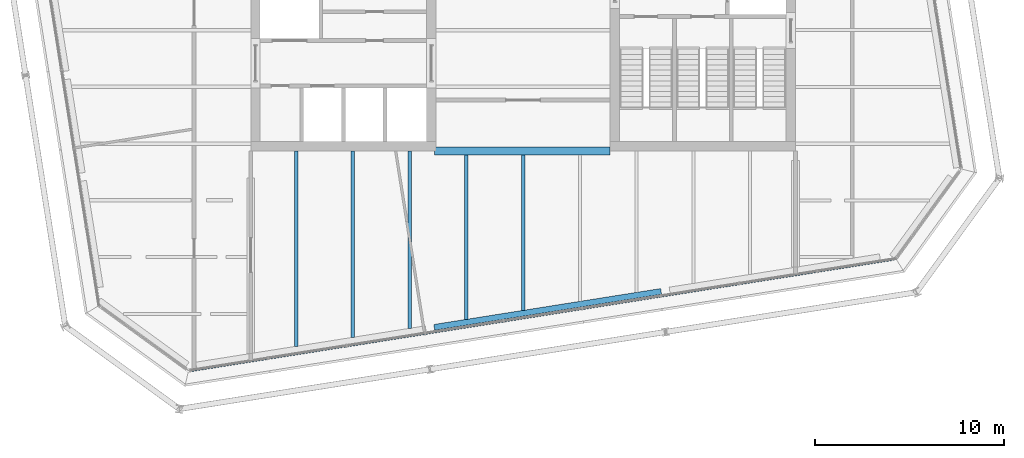
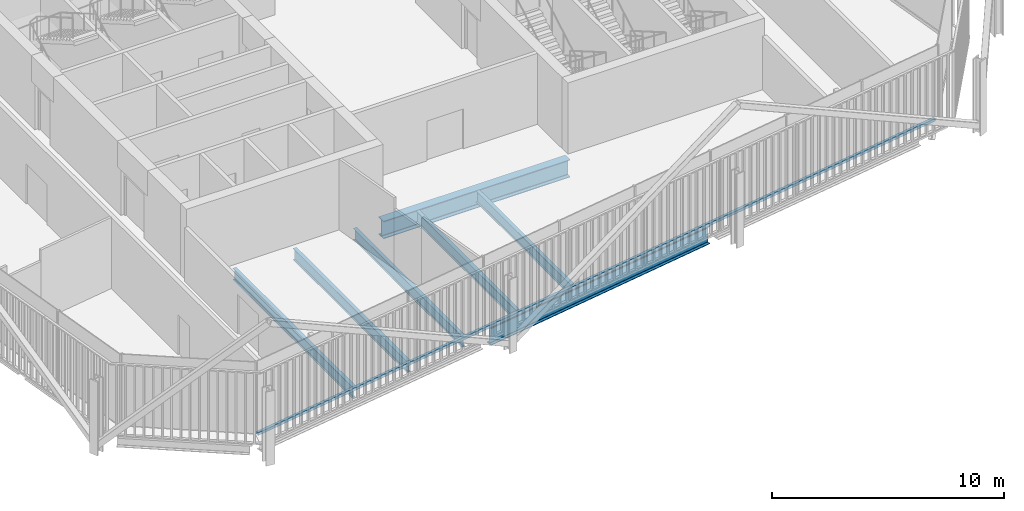
# One storey, part 4 of 20: 7 beams, 1 member, 1 element without a shape of its own.
"""IFC4 building model written with IfcOpenShell, lengths in metres."""

from ifc_helpers import new_model, si_unit, direction, frame, origin, origin_2d, place, context, subcontext, project, spatial, rectangle, i_section, extrude, material, layer, layer_set, material_profile, profile_set, type_object, element, aggregate, save


model = new_model("IFC4")

# Units and contexts
model_context = context("Model", 3, precision=1e-05, world=origin(), true_north=direction((0.0, 1.0)))
body_context = subcontext(model_context, "Body", "Model", "MODEL_VIEW")
ifc_project = project(units=[si_unit("LENGTHUNIT", "METRE"), si_unit("AREAUNIT", "SQUARE_METRE"), si_unit("VOLUMEUNIT", "CUBIC_METRE"), si_unit("PLANEANGLEUNIT", "RADIAN"), si_unit("MASSUNIT", "GRAM", prefix="KILO")], contexts=[model_context])

# Site, building, storey
site_placement = place(None, origin())
site = spatial("IfcSite", under=ifc_project, at=site_placement, CompositionType="ELEMENT")
building_placement = place(site_placement, origin())
building = spatial("IfcBuilding", under=site, at=building_placement, Name="Millrace Tower", CompositionType="ELEMENT")
storey_placement = place(building_placement, frame((0.0, 0.0, 204.699951171875)))
storey = spatial("IfcBuildingStorey", under=building, at=storey_placement, Name="L46", CompositionType="ELEMENT", Elevation=204.699951171875)

# Curtain wall, member
ifc_material_1 = material(Name="Aluminium and glass", Category="aluminium")
ifc_layer = layer(ifc_material_1, 0.14990234375)
ifc_layer_set = layer_set([ifc_layer], Name="Aluminium and glass")
curtain_wall_type = type_object("IfcCurtainWallType", Name="CW-1 office vision curtain wall", PredefinedType="NOTDEFINED", material=ifc_layer_set)
curtain_wall_placement = place(storey_placement, origin())
curtain_wall = element("IfcCurtainWall", 1, at=curtain_wall_placement, inside=storey, type_object=curtain_wall_type, Name="Curtain wall D-F02 L46", PredefinedType="NOTDEFINED")
ifc_material_2 = material(Name="Aluminium", Category="aluminium")
ifc_material_profile_1 = material_profile(ifc_material_2, rectangle(XDim=0.14990234375, YDim=0.139892578125, at=origin_2d()))
ifc_profile_set_1 = profile_set([ifc_material_profile_1], Name="Aluminium")
member_type = type_object("IfcMemberType", Name="CW-1 office vision curtain wall transom", PredefinedType="USERDEFINED", material=ifc_profile_set_1)
member_placement = place(storey_placement, frame((-17.558837890625, -20.98193359375, 0.070068359375), z_axis=(0.987687829698, 0.156437690685, 0.0), x_axis=(-0.156437690685, 0.987687829698, 0.0)))
member = element("IfcMember", 2, at=member_placement, type_object=member_type, Name="CW1 transom D-F02.1", ObjectType="TRANSOM", PredefinedType="USERDEFINED", context=body_context, shape_type="SweptSolid", body=[
    extrude(rectangle(XDim=0.14990234375, YDim=0.139892578125, at=origin_2d()), origin(), (0.0, 0.0, 1.0), 37.60009765625),
])
aggregate(curtain_wall, [member])

# Beams
ifc_material_3 = material(Name="Steel ASTM A992 Grade 50", Category="steel")
ifc_material_profile_2 = material_profile(ifc_material_3, i_section(OverallWidth=0.177978515625, OverallDepth=0.599365234375, WebThickness=0.010009765625, FlangeThickness=0.012939453125, FilletRadius=0.012939453125, at=origin_2d()))
ifc_profile_set_2 = profile_set([ifc_material_profile_2], Name="Steel ASTM A992 Grade 50")
beam_type_1 = type_object("IfcBeamType", Name="Floor beam W24x55", PredefinedType="JOIST", material=ifc_profile_set_2)
beam_1_placement = place(storey_placement, frame((-9.0, -19.2392578125, -0.459716796875), z_axis=(0.0, 1.0, 0.0), x_axis=(-1.0, 0.0, 0.0)))
element("IfcBeam", 3, at=beam_1_placement, inside=storey, type_object=beam_type_1, Name="BM-D-L46-S1-S039", PredefinedType="JOIST", context=body_context, shape_type="SweptSolid", body=[
    extrude(i_section(OverallWidth=0.177978515625, OverallDepth=0.599365234375, WebThickness=0.010009765625, FlangeThickness=0.012939453125, FilletRadius=0.012939453125, at=origin_2d()), origin(), (0.0, 0.0, 1.0), 9.83935546875),
])
beam_2_placement = place(storey_placement, frame((-6.0, -18.763916015625, -0.459716796875), z_axis=(0.0, 1.0, 0.0), x_axis=(-1.0, 0.0, 0.0)))
element("IfcBeam", 4, at=beam_2_placement, inside=storey, type_object=beam_type_1, Name="BM-D-L46-S1-S041", PredefinedType="JOIST", context=body_context, shape_type="SweptSolid", body=[
    extrude(i_section(OverallWidth=0.177978515625, OverallDepth=0.599365234375, WebThickness=0.010009765625, FlangeThickness=0.012939453125, FilletRadius=0.012939453125, at=origin_2d()), origin(), (0.0, 0.0, 1.0), 9.364013671875),
])
beam_3_placement = place(storey_placement, frame((-3.0, -18.288818359375, -0.459716796875), z_axis=(0.0, 1.0, 0.0), x_axis=(-1.0, 0.0, 0.0)))
element("IfcBeam", 5, at=beam_3_placement, inside=storey, type_object=beam_type_1, Name="BM-D-L46-S1-S043", PredefinedType="JOIST", context=body_context, shape_type="SweptSolid", body=[
    extrude(i_section(OverallWidth=0.177978515625, OverallDepth=0.599365234375, WebThickness=0.010009765625, FlangeThickness=0.012939453125, FilletRadius=0.012939453125, at=origin_2d()), origin(), (0.0, 0.0, 1.0), 8.67919921875),
])
beam_4_placement = place(storey_placement, frame((0.0, -17.813720703125, -0.459716796875), z_axis=(0.0, 1.0, 0.0), x_axis=(-1.0, 0.0, 0.0)))
element("IfcBeam", 6, at=beam_4_placement, inside=storey, type_object=beam_type_1, Name="BM-D-L46-S1-S045", PredefinedType="JOIST", context=body_context, shape_type="SweptSolid", body=[
    extrude(i_section(OverallWidth=0.177978515625, OverallDepth=0.599365234375, WebThickness=0.010009765625, FlangeThickness=0.012939453125, FilletRadius=0.012939453125, at=origin_2d()), origin(), (0.0, 0.0, 1.0), 8.2041015625),
])
ifc_material_4 = material(Name="Steel ASTM A992 Grade 50", Category="steel")
ifc_material_profile_3 = material_profile(ifc_material_4, i_section(OverallWidth=0.1787109375, OverallDepth=0.60205078125, WebThickness=0.010986328125, FlangeThickness=0.014892578125, FilletRadius=0.0126953125, at=origin_2d()))
ifc_profile_set_3 = profile_set([ifc_material_profile_3], Name="Steel ASTM A992 Grade 50")
beam_type_2 = type_object("IfcBeamType", Name="Floor beam W24x62", PredefinedType="JOIST", material=ifc_profile_set_3)
beam_5_placement = place(storey_placement, frame((-12.0, -19.71435546875, -0.4609375), z_axis=(0.0, 1.0, 0.0), x_axis=(-1.0, 0.0, 0.0)))
element("IfcBeam", 7, at=beam_5_placement, inside=storey, type_object=beam_type_2, Name="BM-D-L46-S1-S037", PredefinedType="JOIST", context=body_context, shape_type="SweptSolid", body=[
    extrude(i_section(OverallWidth=0.1787109375, OverallDepth=0.60205078125, WebThickness=0.010986328125, FlangeThickness=0.014892578125, FilletRadius=0.0126953125, at=origin_2d()), origin(), (0.0, 0.0, 1.0), 10.314453125),
])
ifc_material_5 = material(Name="Steel ASTM A992 Grade 50", Category="steel")
ifc_material_profile_4 = material_profile(ifc_material_5, i_section(OverallWidth=0.419189453125, OverallDepth=0.927001953125, WebThickness=0.019287109375, FlangeThickness=0.031982421875, FilletRadius=0.024169921875, at=origin_2d()))
ifc_profile_set_4 = profile_set([ifc_material_profile_4], Name="Steel ASTM A992 Grade 50")
beam_type_3 = type_object("IfcBeamType", Name="Girder short span W36x231", PredefinedType="BEAM", material=ifc_profile_set_4)
beam_6_placement = place(storey_placement, frame((-4.696044921875, -9.39990234375, -0.62353515625), z_axis=(1.0, 0.0, 0.0), x_axis=(0.0, 1.0, 0.0)))
element("IfcBeam", 8, at=beam_6_placement, inside=storey, type_object=beam_type_3, Name="BM-D-L46-S1-G059", PredefinedType="BEAM", context=body_context, shape_type="SweptSolid", body=[
    extrude(i_section(OverallWidth=0.419189453125, OverallDepth=0.927001953125, WebThickness=0.019287109375, FlangeThickness=0.031982421875, FilletRadius=0.024169921875, at=origin_2d()), origin(), (0.0, 0.0, 1.0), 9.296142578125),
])
ifc_material_6 = material(Name="Steel ASTM A992 Grade 50", Category="steel")
ifc_material_profile_5 = material_profile(ifc_material_6, i_section(OverallWidth=0.307373046875, OverallDepth=0.927001953125, WebThickness=0.01953125, FlangeThickness=0.031982421875, FilletRadius=0.01904296875, at=origin_2d()))
ifc_profile_set_5 = profile_set([ifc_material_profile_5], Name="Steel ASTM A992 Grade 50")
beam_type_4 = type_object("IfcBeamType", Name="Ring beam medium span W36x194", PredefinedType="SPANDREL", material=ifc_profile_set_5)
beam_7_placement = place(storey_placement, frame((7.295166015625, -16.81396484375, -0.62353515625), z_axis=(-0.987689668615, -0.156426080022, 0.0), x_axis=(0.156426080022, -0.987689668615, 0.0)))
element("IfcBeam", 9, at=beam_7_placement, inside=storey, type_object=beam_type_4, Name="RNG-D-L46-S1-14", PredefinedType="SPANDREL", context=body_context, shape_type="SweptSolid", body=[
    extrude(i_section(OverallWidth=0.307373046875, OverallDepth=0.927001953125, WebThickness=0.01953125, FlangeThickness=0.031982421875, FilletRadius=0.01904296875, at=origin_2d()), origin(), (0.0, 0.0, 1.0), 12.14404296875),
])

save(model, "model.ifc")
